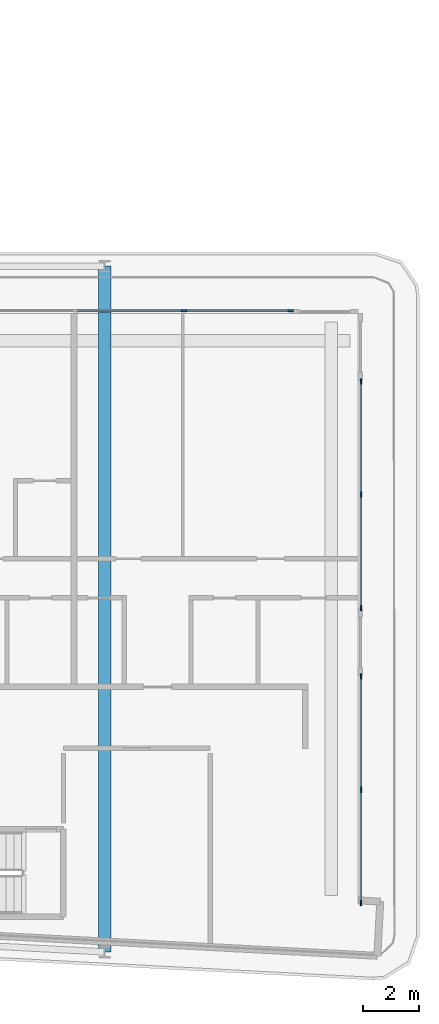
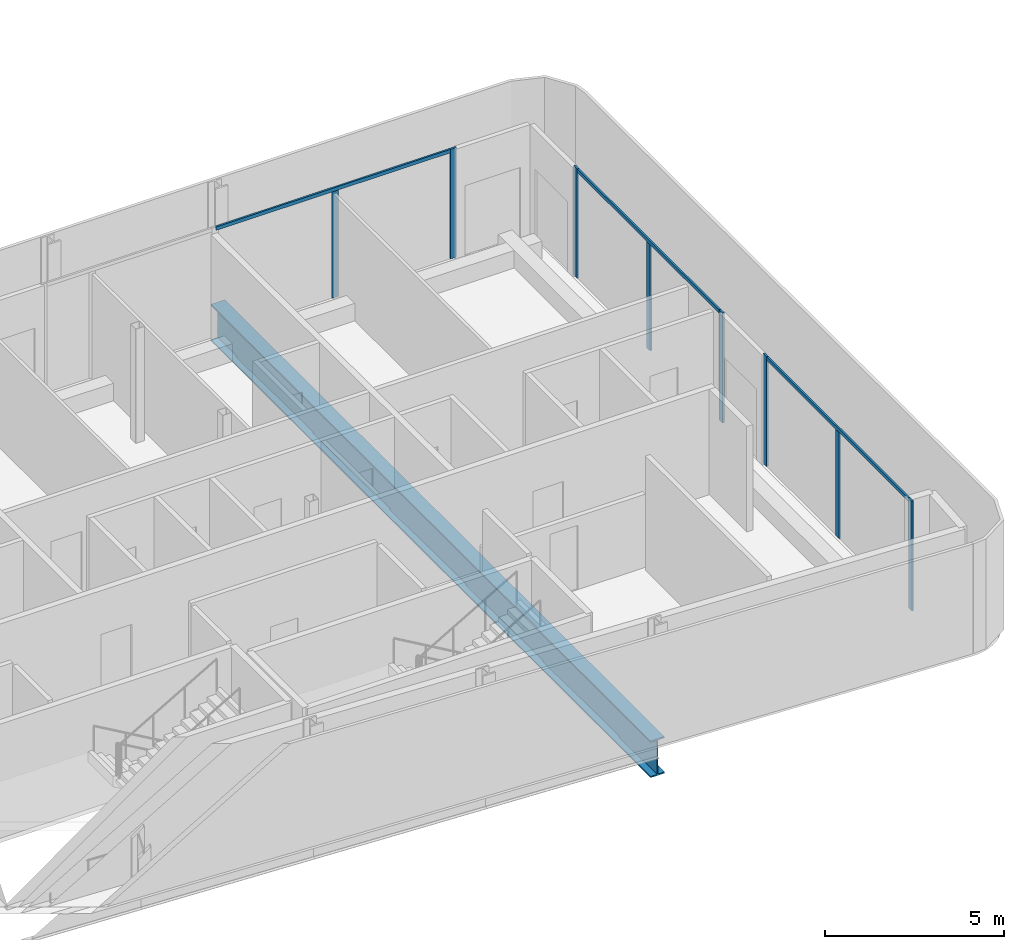
# One storey, part 10 of 29: 11 members, 1 beam, 3 elements without a shape of their own.
"""IFC4 building model written with IfcOpenShell, lengths in metres."""

from ifc_helpers import new_model, si_unit, direction, frame, origin, origin_2d, place, context, subcontext, project, spatial, rectangle, i_section, extrude, material, layer, layer_set, material_profile, profile_set, type_object, element, aggregate, save


model = new_model("IFC4")

# Units and contexts
model_context = context("Model", 3, precision=1e-05, world=origin(), true_north=direction((0.0, 1.0)))
body_context = subcontext(model_context, "Body", "Model", "MODEL_VIEW")
ifc_project = project(units=[si_unit("LENGTHUNIT", "METRE"), si_unit("AREAUNIT", "SQUARE_METRE"), si_unit("VOLUMEUNIT", "CUBIC_METRE"), si_unit("PLANEANGLEUNIT", "RADIAN"), si_unit("MASSUNIT", "GRAM", prefix="KILO")], contexts=[model_context])

# Site, building, storey
site_placement = place(None, origin())
site = spatial("IfcSite", under=ifc_project, at=site_placement, CompositionType="ELEMENT")
building_placement = place(site_placement, origin())
building = spatial("IfcBuilding", under=site, at=building_placement, Name="Kheshtan School and Residences Tower", CompositionType="ELEMENT")
storey_placement = place(building_placement, frame((0.0, 0.0, 176.0)))
storey = spatial("IfcBuildingStorey", under=building, at=storey_placement, Name="L41", CompositionType="ELEMENT", Elevation=176.0)

# Curtain wall, members
ifc_material_1 = material(Name="Clear low-e glass in thermally broken aluminium frame", Category="aluminium")
ifc_layer = layer(ifc_material_1, 0.199951171875)
ifc_layer_set = layer_set([ifc_layer], Name="Curtain wall CW-L")
curtain_wall_type = type_object("IfcCurtainWallType", Name="Curtain wall CW-L", PredefinedType="NOTDEFINED", material=ifc_layer_set)
curtain_wall_1_placement = place(storey_placement, origin())
curtain_wall_1 = element("IfcCurtainWall", 1, at=curtain_wall_1_placement, inside=storey, type_object=curtain_wall_type, Name="Curtain wall CWL12j", PredefinedType="NOTDEFINED")
ifc_material_2 = material(Name="Thermally broken aluminium, dark bronze anodised", Category="aluminium")
ifc_material_profile_1 = material_profile(ifc_material_2, rectangle(XDim=0.06005859375, YDim=0.199951171875, at=origin_2d()), Name="CW-L mullion 60x200")
ifc_profile_set_1 = profile_set([ifc_material_profile_1], Name="Thermally broken aluminium, dark bronze anodised")
member_type_1 = type_object("IfcMemberType", Name="CW-L mullion 60x200", PredefinedType="MULLION", material=ifc_profile_set_1)
member_1_placement = place(storey_placement, frame((93.653076171875, 44.0, 0.0), z_axis=(0.0, 0.0, 1.0), x_axis=(0.0, 1.0, 0.0)))
member_1 = element("IfcMember", 2, at=member_1_placement, type_object=member_type_1, Name="CWL12j mullion 2", PredefinedType="MULLION", context=body_context, shape_type="SweptSolid", body=[
    extrude(rectangle(XDim=0.06005859375, YDim=0.199951171875, at=origin_2d()), origin(), (0.0, 0.0, 1.0), 3.6298828125),
])
member_2_placement = place(storey_placement, frame((97.469970703125, 44.0, 0.0), z_axis=(0.0, 0.0, 1.0), x_axis=(0.0, 1.0, 0.0)))
member_2 = element("IfcMember", 3, at=member_2_placement, type_object=member_type_1, Name="CWL12j mullion 3", PredefinedType="MULLION", context=body_context, shape_type="SweptSolid", body=[
    extrude(rectangle(XDim=0.06005859375, YDim=0.199951171875, at=origin_2d()), origin(), (0.0, 0.0, 1.0), 3.75),
])

curtain_wall_2_placement = place(storey_placement, origin())
curtain_wall_2 = element("IfcCurtainWall", 4, at=curtain_wall_2_placement, inside=storey, type_object=curtain_wall_type, Name="Curtain wall CWL13b", PredefinedType="NOTDEFINED")
member_3_placement = place(storey_placement, frame((100.0, 41.469970703125, 0.0), z_axis=(0.0, 0.0, 1.0), x_axis=(1.0, 0.0, 0.0)))
member_3 = element("IfcMember", 5, at=member_3_placement, type_object=member_type_1, Name="CWL13b mullion 1", PredefinedType="MULLION", context=body_context, shape_type="SweptSolid", body=[
    extrude(rectangle(XDim=0.06005859375, YDim=0.199951171875, at=origin_2d()), origin(), (0.0, 0.0, 1.0), 3.75),
])
member_4_placement = place(storey_placement, frame((100.0, 37.403564453125, 0.0), z_axis=(0.0, 0.0, 1.0), x_axis=(1.0, 0.0, 0.0)))
member_4 = element("IfcMember", 6, at=member_4_placement, type_object=member_type_1, Name="CWL13b mullion 2", PredefinedType="MULLION", context=body_context, shape_type="SweptSolid", body=[
    extrude(rectangle(XDim=0.06005859375, YDim=0.199951171875, at=origin_2d()), origin(), (0.0, 0.0, 1.0), 3.6298828125),
])
member_5_placement = place(storey_placement, frame((100.0, 33.3369140625, 0.0), z_axis=(0.0, 0.0, 1.0), x_axis=(1.0, 0.0, 0.0)))
member_5 = element("IfcMember", 7, at=member_5_placement, type_object=member_type_1, Name="CWL13b mullion 3", PredefinedType="MULLION", context=body_context, shape_type="SweptSolid", body=[
    extrude(rectangle(XDim=0.06005859375, YDim=0.199951171875, at=origin_2d()), origin(), (0.0, 0.0, 1.0), 3.75),
])

curtain_wall_3_placement = place(storey_placement, origin())
curtain_wall_3 = element("IfcCurtainWall", 8, at=curtain_wall_3_placement, inside=storey, type_object=curtain_wall_type, Name="Curtain wall CWL13b", PredefinedType="NOTDEFINED")
member_6_placement = place(storey_placement, frame((100.0, 30.876953125, 0.0), z_axis=(0.0, 0.0, 1.0), x_axis=(1.0, 0.0, 0.0)))
member_6 = element("IfcMember", 9, at=member_6_placement, type_object=member_type_1, Name="CWL13b mullion 1", PredefinedType="MULLION", context=body_context, shape_type="SweptSolid", body=[
    extrude(rectangle(XDim=0.06005859375, YDim=0.199951171875, at=origin_2d()), origin(), (0.0, 0.0, 1.0), 3.75),
])
member_7_placement = place(storey_placement, frame((100.0, 26.810546875, 0.0), z_axis=(0.0, 0.0, 1.0), x_axis=(1.0, 0.0, 0.0)))
member_7 = element("IfcMember", 10, at=member_7_placement, type_object=member_type_1, Name="CWL13b mullion 2", PredefinedType="MULLION", context=body_context, shape_type="SweptSolid", body=[
    extrude(rectangle(XDim=0.06005859375, YDim=0.199951171875, at=origin_2d()), origin(), (0.0, 0.0, 1.0), 3.6298828125),
])
member_8_placement = place(storey_placement, frame((100.0, 22.743896484375, 0.0), z_axis=(0.0, 0.0, 1.0), x_axis=(1.0, 0.0, 0.0)))
member_8 = element("IfcMember", 11, at=member_8_placement, type_object=member_type_1, Name="CWL13b mullion 3", PredefinedType="MULLION", context=body_context, shape_type="SweptSolid", body=[
    extrude(rectangle(XDim=0.06005859375, YDim=0.199951171875, at=origin_2d()), origin(), (0.0, 0.0, 1.0), 3.75),
])

# Member
ifc_material_profile_2 = material_profile(ifc_material_2, rectangle(XDim=0.06005859375, YDim=0.1201171875, at=origin_2d()), Name="CW-L transom 60x120")
ifc_profile_set_2 = profile_set([ifc_material_profile_2], Name="Thermally broken aluminium, dark bronze anodised")
member_type_2 = type_object("IfcMemberType", Name="CW-L transom 60x120", PredefinedType="USERDEFINED", material=ifc_profile_set_2)
member_9_placement = place(storey_placement, frame((89.805908203125, 44.0, 3.68994140625), z_axis=(1.0, 0.0, 0.0), x_axis=(0.0, 1.0, 0.0)))
member_9 = element("IfcMember", 12, at=member_9_placement, type_object=member_type_2, Name="CWL12j transom 1", ObjectType="TRANSOM", PredefinedType="USERDEFINED", context=body_context, shape_type="SweptSolid", body=[
    extrude(rectangle(XDim=0.06005859375, YDim=0.1201171875, at=origin_2d()), origin(), (0.0, 0.0, 1.0), 7.634033203125),
])

aggregate(curtain_wall_1, [member_1, member_2, member_9])

member_10_placement = place(storey_placement, frame((100.0, 41.43994140625, 3.68994140625), z_axis=(0.0, -1.0, 0.0), x_axis=(1.0, 0.0, 0.0)))
member_10 = element("IfcMember", 13, at=member_10_placement, type_object=member_type_2, Name="CWL13b transom 1", ObjectType="TRANSOM", PredefinedType="USERDEFINED", context=body_context, shape_type="SweptSolid", body=[
    extrude(rectangle(XDim=0.06005859375, YDim=0.1201171875, at=origin_2d()), origin(), (0.0, 0.0, 1.0), 8.072998046875),
])

aggregate(curtain_wall_2, [member_3, member_4, member_5, member_10])

member_11_placement = place(storey_placement, frame((100.0, 30.846923828125, 3.68994140625), z_axis=(0.0, -1.0, 0.0), x_axis=(1.0, 0.0, 0.0)))
member_11 = element("IfcMember", 14, at=member_11_placement, type_object=member_type_2, Name="CWL13b transom 1", ObjectType="TRANSOM", PredefinedType="USERDEFINED", context=body_context, shape_type="SweptSolid", body=[
    extrude(rectangle(XDim=0.06005859375, YDim=0.1201171875, at=origin_2d()), origin(), (0.0, 0.0, 1.0), 8.072998046875),
])

aggregate(curtain_wall_3, [member_6, member_7, member_8, member_11])

# Beam
ifc_material_3 = material(Name="Steel ASTM A992 Grade 50", Category="steel")
ifc_material_profile_3 = material_profile(ifc_material_3, i_section(OverallWidth=0.449951171875, OverallDepth=1.25, WebThickness=0.02490234375, FlangeThickness=0.044921875, FilletRadius=0.03759765625, at=origin_2d()), Name="WWF1250x546")
ifc_profile_set_3 = profile_set([ifc_material_profile_3], Name="Steel ASTM A992 Grade 50")
beam_type = type_object("IfcBeamType", Name="Transfer girder TG4 WWF1250x546 ASTM A992 Grade 50", PredefinedType="BEAM", material=ifc_profile_set_3)
beam_placement = place(storey_placement, frame((90.800048828125, 45.60009765625, -0.77490234375), z_axis=(0.0, -1.0, 0.0), x_axis=(1.0, 0.0, 0.0)))
element("IfcBeam", 15, at=beam_placement, inside=storey, type_object=beam_type, Name="Transfer girder C068-C006", PredefinedType="BEAM", context=body_context, shape_type="SweptSolid", body=[
    extrude(i_section(OverallWidth=0.449951171875, OverallDepth=1.25, WebThickness=0.02490234375, FlangeThickness=0.044921875, FilletRadius=0.03759765625, at=origin_2d()), origin(), (0.0, 0.0, 1.0), 24.610107421875),
])

save(model, "model.ifc")
